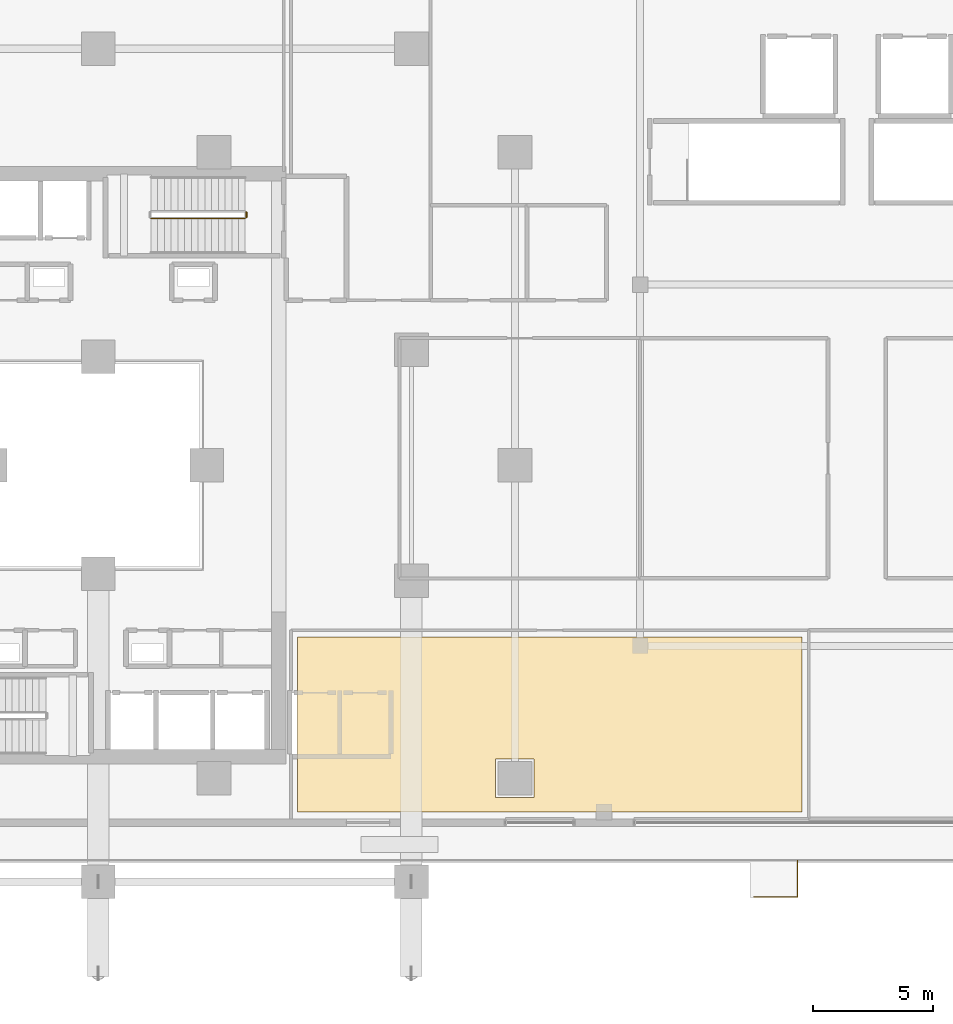
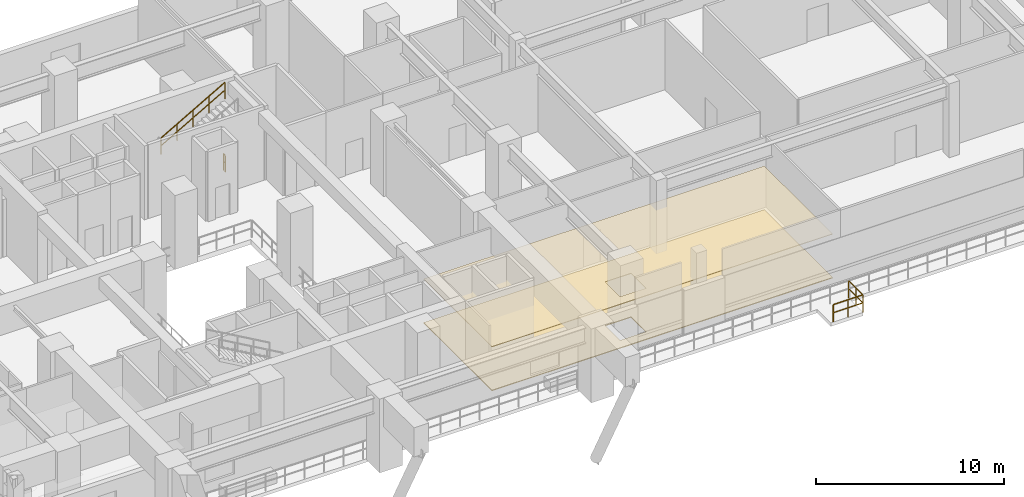
# One storey, part 23 of 25: 3 railings, 2 coverings.
"""IFC4 building model written with IfcOpenShell, lengths in metres."""

from ifc_helpers import new_model, si_unit, direction, frame, origin, origin_2d, place, context, subcontext, project, spatial, polyline, rectangle, outline, extrude, material, layer, layer_set, type_object, element, save


model = new_model("IFC4")

# Units and contexts
model_context = context("Model", 3, precision=1e-05, world=origin(), true_north=direction((0.0, 1.0)))
body_context = subcontext(model_context, "Body", "Model", "MODEL_VIEW")
ifc_project = project(units=[si_unit("LENGTHUNIT", "METRE"), si_unit("AREAUNIT", "SQUARE_METRE"), si_unit("VOLUMEUNIT", "CUBIC_METRE"), si_unit("PLANEANGLEUNIT", "RADIAN"), si_unit("MASSUNIT", "GRAM", prefix="KILO")], contexts=[model_context])

# Site, building, storey
site_placement = place(None, origin())
site = spatial("IfcSite", under=ifc_project, at=site_placement, CompositionType="ELEMENT")
building_placement = place(site_placement, origin())
building = spatial("IfcBuilding", under=site, at=building_placement, Name="Thornwick Lancets Civic Towers", CompositionType="ELEMENT")
storey_placement = place(building_placement, frame((0.0, 0.0, 23.10009765625)))
storey = spatial("IfcBuildingStorey", under=building, at=storey_placement, Name="L05", CompositionType="ELEMENT", Elevation=23.10009765625)

# Coverings
ifc_material_1 = material(Name="Perforated mineral acoustic ceiling tile")
ifc_layer_1 = layer(ifc_material_1, 0.0400390625, Name="Perforated mineral acoustic ceiling tile")
ifc_layer_set_1 = layer_set([ifc_layer_1], Name="Perforated mineral acoustic ceiling tile")
covering_type_1 = type_object("IfcCoveringType", Name="COV_CEIL_ACOUSTIC", PredefinedType="CEILING", material=ifc_layer_set_1)
covering_1_placement = place(storey_placement, frame((0.0, 0.0, 2.844970703125)))
element("IfcCovering", 1, at=covering_1_placement, inside=storey, type_object=covering_type_1, Name="L05 Terrace Reception Foyer Ceiling", PredefinedType="CEILING", context=body_context, shape_type="SweptSolid", body=[
    extrude(outline(polyline([(33.780029296875, 19.8701171875), (54.719970703125, 19.8701171875), (54.719970703125, 12.60009765625), (33.780029296875, 12.60009765625), (33.780029296875, 19.8701171875)]), holes=[polyline([(42.0, 13.199951171875), (43.60009765625, 13.199951171875), (43.60009765625, 14.800048828125), (42.0, 14.800048828125), (42.0, 13.199951171875)])]), origin(), (0.0, 0.0, 1.0), 0.0400390625),
])
ifc_material_2 = material(Name="Calcium-sulfate raised access floor panel")
ifc_layer_2 = layer(ifc_material_2, 0.050048828125, Name="Calcium-sulfate raised access floor panel")
ifc_layer_set_2 = layer_set([ifc_layer_2], Name="Calcium-sulfate raised access floor panel")
covering_type_2 = type_object("IfcCoveringType", Name="COV_FLOOR_RAISED", PredefinedType="FLOORING", material=ifc_layer_set_2)
covering_2_placement = place(storey_placement, origin())
element("IfcCovering", 2, at=covering_2_placement, inside=storey, type_object=covering_type_2, Name="L05 Terrace Reception Foyer Raised Access Flooring", PredefinedType="FLOORING", context=body_context, shape_type="SweptSolid", body=[
    extrude(outline(polyline([(33.780029296875, 19.8701171875), (54.719970703125, 19.8701171875), (54.719970703125, 12.60009765625), (33.780029296875, 12.60009765625), (33.780029296875, 19.8701171875)]), holes=[polyline([(42.0, 13.199951171875), (43.60009765625, 13.199951171875), (43.60009765625, 14.800048828125), (42.0, 14.800048828125), (42.0, 13.199951171875)])]), origin(), (0.0, 0.0, 1.0), 0.0498046875),
])

# Railings
ifc_material_3 = material(Name="Steel S355JR", Category="steel")
railing_type_1 = type_object("IfcRailingType", Name="RAIL_STAIR_GUARD", PredefinedType="GUARDRAIL", material=ifc_material_3)
railing_1_placement = place(storey_placement, frame((27.679931640625, 37.25, 2.559814453125)))
element("IfcRailing", 3, at=railing_1_placement, inside=storey, type_object=railing_type_1, Name="L05 ST-A2 stair guard 3", PredefinedType="GUARDRAIL", context=body_context, shape_type="SweptSolid", body=[
    extrude(rectangle(XDim=0.048095703125, YDim=0.048095703125, at=origin_2d()), frame((0.0, 0.0, 1.076171875), z_axis=(0.86825312469, 0.0, 0.496121468458), x_axis=(0.0, 1.0, 0.0)), (0.0, 0.0, 1.0), 4.514892578125),
    extrude(rectangle(XDim=0.0419921875, YDim=0.0419921875, at=origin_2d()), frame((0.032470703125, 0.0, 0.590576171875), z_axis=(0.86825312469, 0.0, 0.496121468458), x_axis=(0.0, 1.0, 0.0)), (0.0, 0.0, 1.0), 1.0537109375),
    extrude(rectangle(XDim=0.0419921875, YDim=0.0419921875, at=origin_2d()), frame((1.0126953125, 0.0, 1.150634765625), z_axis=(0.86825312469, 0.0, 0.496121468458), x_axis=(0.0, 1.0, 0.0)), (0.0, 0.0, 1.0), 1.0537109375),
    extrude(rectangle(XDim=0.0419921875, YDim=0.0419921875, at=origin_2d()), frame((1.99267578125, 0.0, 1.710693359375), z_axis=(0.86825312469, 0.0, 0.496121468458), x_axis=(0.0, 1.0, 0.0)), (0.0, 0.0, 1.0), 1.0537109375),
    extrude(rectangle(XDim=0.0419921875, YDim=0.0419921875, at=origin_2d()), frame((2.97265625, 0.0, 2.270751953125), z_axis=(0.86825312469, 0.0, 0.496121468458), x_axis=(0.0, 1.0, 0.0)), (0.0, 0.0, 1.0), 1.0537109375),
    extrude(rectangle(XDim=0.0419921875, YDim=0.0419921875, at=origin_2d()), origin(), (0.0, 0.0, 1.0), 1.0458984375),
    extrude(rectangle(XDim=0.0419921875, YDim=0.0419921875, at=origin_2d()), frame((0.97998046875, 0.0, 0.56005859375)), (0.0, 0.0, 1.0), 1.0458984375),
    extrude(rectangle(XDim=0.0419921875, YDim=0.0419921875, at=origin_2d()), frame((1.9599609375, 0.0, 1.1201171875)), (0.0, 0.0, 1.0), 1.0458984375),
    extrude(rectangle(XDim=0.0419921875, YDim=0.0419921875, at=origin_2d()), frame((2.940185546875, 0.0, 1.679931640625)), (0.0, 0.0, 1.0), 1.0458984375),
    extrude(rectangle(XDim=0.0419921875, YDim=0.0419921875, at=origin_2d()), frame((3.920166015625, 0.0, 2.239990234375)), (0.0, 0.0, 1.0), 1.0458984375),
])
railing_2_placement = place(storey_placement, frame((31.64990234375, 37.5, 0.0)))
element("IfcRailing", 4, at=railing_2_placement, inside=storey, type_object=railing_type_1, Name="L05 ST-A2 stair guard 4", PredefinedType="GUARDRAIL", context=body_context, shape_type="SweptSolid", body=[
    extrude(rectangle(XDim=0.048095703125, YDim=0.048095703125, at=origin_2d()), frame((0.0, 0.0, 1.076171875), z_axis=(0.0, -1.0, 0.0), x_axis=(1.0, 0.0, 0.0)), (0.0, 0.0, 1.0), 0.199951171875),
    extrude(rectangle(XDim=0.0419921875, YDim=0.0419921875, at=origin_2d()), frame((0.0, -0.03759765625, 0.572021484375), z_axis=(0.0, -1.0, 0.0), x_axis=(1.0, 0.0, 0.0)), (0.0, 0.0, 1.0), 0.125),
    extrude(rectangle(XDim=0.0419921875, YDim=0.0419921875, at=origin_2d()), origin(), (0.0, 0.0, 1.0), 1.0458984375),
    extrude(rectangle(XDim=0.0419921875, YDim=0.0419921875, at=origin_2d()), frame((0.0, -0.199951171875, 0.0)), (0.0, 0.0, 1.0), 1.0458984375),
])
ifc_material_4 = material(Name="Terracotta-capped laminated glass balustrade S355", Category="masonry")
railing_type_2 = type_object("IfcRailingType", Name="RAIL_TERR_GUARD", PredefinedType="GUARDRAIL", material=ifc_material_4)
railing_3_placement = place(storey_placement, frame((52.719970703125, 9.070068359375, 0.0)))
element("IfcRailing", 5, at=railing_3_placement, inside=storey, type_object=railing_type_2, Name="L05 Garden Stair Landing Guard", PredefinedType="GUARDRAIL", context=body_context, shape_type="SweptSolid", body=[
    extrude(rectangle(XDim=0.048095703125, YDim=0.048095703125, at=origin_2d()), frame((0.0, 0.0, 1.1259765625), z_axis=(1.0, 0.0, 0.0), x_axis=(0.0, 1.0, 0.0)), (0.0, 0.0, 1.0), 1.788818359375),
    extrude(rectangle(XDim=0.0419921875, YDim=0.0419921875, at=origin_2d()), frame((0.03759765625, 0.0, 0.597900390625), z_axis=(1.0, 0.0, 0.0), x_axis=(0.0, 1.0, 0.0)), (0.0, 0.0, 1.0), 0.8349609375),
    extrude(rectangle(XDim=0.0419921875, YDim=0.0419921875, at=origin_2d()), frame((0.947509765625, 0.0, 0.597900390625), z_axis=(1.0, 0.0, 0.0), x_axis=(0.0, 1.0, 0.0)), (0.0, 0.0, 1.0), 0.8349609375),
    extrude(rectangle(XDim=0.048095703125, YDim=0.048095703125, at=origin_2d()), frame((1.820068359375, 0.03125, 1.1259765625), z_axis=(0.0, 1.0, 0.0), x_axis=(-1.0, 0.0, 0.0)), (0.0, 0.0, 1.0), 1.478759765625),
    extrude(rectangle(XDim=0.0419921875, YDim=0.0419921875, at=origin_2d()), frame((1.820068359375, 0.03759765625, 0.597900390625), z_axis=(0.0, 1.0, 0.0), x_axis=(-1.0, 0.0, 0.0)), (0.0, 0.0, 1.0), 0.679931640625),
    extrude(rectangle(XDim=0.0419921875, YDim=0.0419921875, at=origin_2d()), frame((1.820068359375, 0.79248046875, 0.597900390625), z_axis=(0.0, 1.0, 0.0), x_axis=(-1.0, 0.0, 0.0)), (0.0, 0.0, 1.0), 0.679931640625),
    extrude(rectangle(XDim=0.0419921875, YDim=0.0419921875, at=origin_2d()), origin(), (0.0, 0.0, 1.0), 1.095703125),
    extrude(rectangle(XDim=0.0419921875, YDim=0.0419921875, at=origin_2d()), frame((0.91015625, 0.0, 0.0)), (0.0, 0.0, 1.0), 1.095703125),
    extrude(rectangle(XDim=0.0419921875, YDim=0.0419921875, at=origin_2d()), frame((1.820068359375, 0.0, 0.0)), (0.0, 0.0, 1.0), 1.095703125),
    extrude(rectangle(XDim=0.0419921875, YDim=0.0419921875, at=origin_2d()), frame((1.820068359375, 0.7548828125, 0.0)), (0.0, 0.0, 1.0), 1.095703125),
    extrude(rectangle(XDim=0.0419921875, YDim=0.0419921875, at=origin_2d()), frame((1.820068359375, 1.510009765625, 0.0)), (0.0, 0.0, 1.0), 1.095703125),
])

save(model, "model.ifc")
